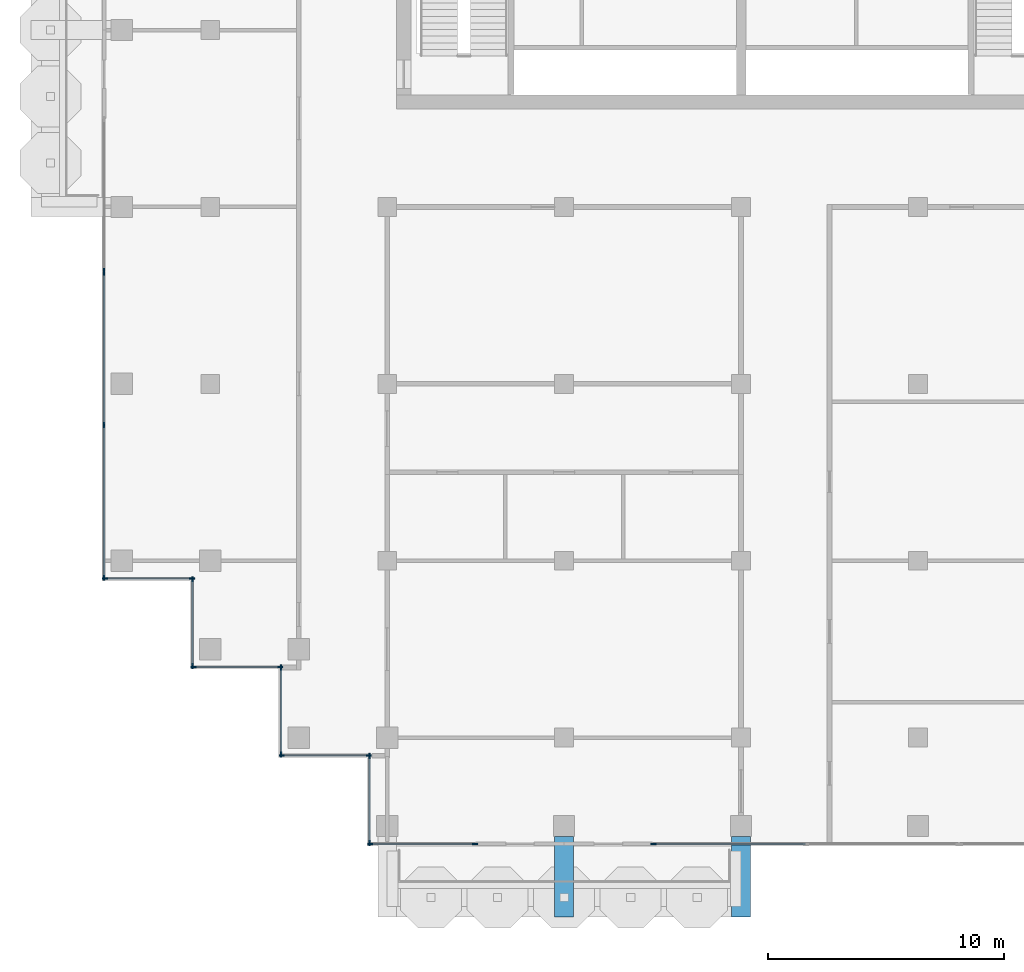
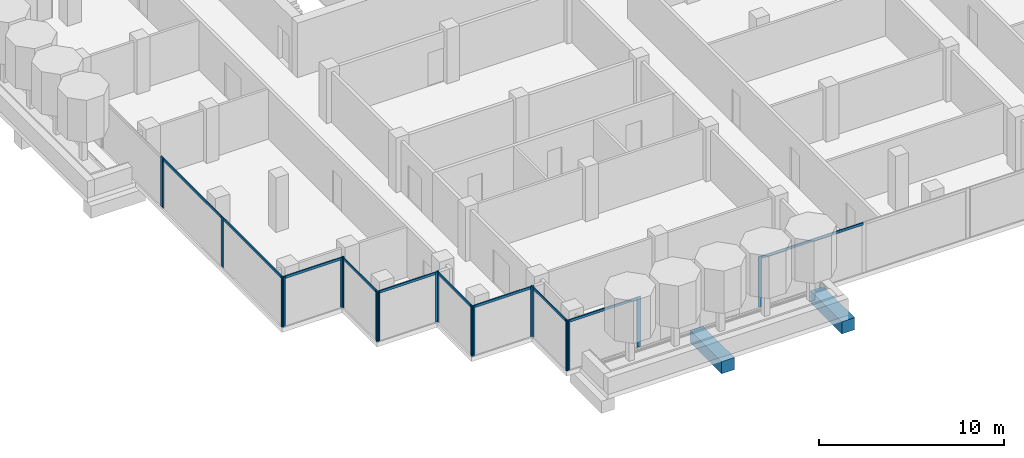
# One storey, part 2 of 18: 29 members, 2 beams, 10 elements without a shape of their own.
"""IFC4 building model written with IfcOpenShell, lengths in metres."""

from ifc_helpers import new_model, si_unit, direction, frame, origin, origin_2d, place, context, subcontext, project, spatial, rectangle, extrude, material, material_profile, profile_set, type_object, element, aggregate, save


model = new_model("IFC4")

# Units and contexts
model_context = context("Model", 3, precision=1e-05, world=origin(), true_north=direction((0.0, 1.0)))
body_context = subcontext(model_context, "Body", "Model", "MODEL_VIEW")
ifc_project = project(units=[si_unit("LENGTHUNIT", "METRE"), si_unit("AREAUNIT", "SQUARE_METRE"), si_unit("VOLUMEUNIT", "CUBIC_METRE"), si_unit("PLANEANGLEUNIT", "RADIAN"), si_unit("MASSUNIT", "GRAM", prefix="KILO")], contexts=[model_context])

# Site, building, storey
site_placement = place(None, origin())
site = spatial("IfcSite", under=ifc_project, at=site_placement, CompositionType="ELEMENT")
building_placement = place(site_placement, origin())
building = spatial("IfcBuilding", under=site, at=building_placement, Name="Pilkhan Gate Tower", CompositionType="ELEMENT")
storey_placement = place(building_placement, frame((0.0, 0.0, 242.699951171875)))
storey = spatial("IfcBuildingStorey", under=building, at=storey_placement, Name="L63", CompositionType="ELEMENT", Elevation=242.699951171875)

# Beams
ifc_material_1 = material(Name="Concrete C50/60", Category="concrete")
ifc_material_profile_1 = material_profile(ifc_material_1, rectangle(XDim=0.800048828125, YDim=0.800048828125, at=origin_2d()), Name="RC 800x800")
ifc_profile_set_1 = profile_set([ifc_material_profile_1], Name="Concrete C50/60")
beam_type = type_object("IfcBeamType", Name="Cantilever beam CB2 RC 800x800 C50/60", PredefinedType="BEAM", material=ifc_profile_set_1)
for number, where, z_axis, x_axis, name in (
    (1, (67.5, 40.800048828125, -0.699951171875), (0.0, -1.0, 0.0), (1.0, 0.0, 0.0), "Balcony beam S.2 L63"),
    (2, (75.0, 40.800048828125, -0.699951171875), (0.0, -1.0, 0.0), (1.0, 0.0, 0.0), "Balcony beam S.3 L63"),
):
    element("IfcBeam", number, at=place(storey_placement, frame(where, z_axis=z_axis, x_axis=x_axis)), inside=storey, type_object=beam_type, Name=name, PredefinedType="BEAM", context=body_context, shape_type="SweptSolid", body=[
        extrude(rectangle(XDim=0.800048828125, YDim=0.800048828125, at=origin_2d()), origin(), (0.0, 0.0, 1.0), 3.400146484375),
    ])

# Curtain wall, members
ifc_material_2 = material(Name="Pale anodised aluminium, clear low-iron double glazing", Category="aluminium")
curtain_wall_type = type_object("IfcCurtainWallType", Name="Office unitised curtain wall CW-O2", PredefinedType="USERDEFINED", material=ifc_material_2)
curtain_wall_1_placement = place(storey_placement, origin())
curtain_wall_1 = element("IfcCurtainWall", 3, at=curtain_wall_1_placement, inside=storey, type_object=curtain_wall_type, Name="Office unitised curtain wall CW-O2 L63 W", ObjectType="UNITISED CURTAIN WALL", PredefinedType="USERDEFINED")
ifc_material_3 = material(Name="Pale anodised aluminium", Category="aluminium")
ifc_material_profile_2 = material_profile(ifc_material_3, rectangle(XDim=0.06494140625, YDim=0.22509765625, at=origin_2d()), Name="Mullion 225x65")
ifc_profile_set_2 = profile_set([ifc_material_profile_2], Name="Pale anodised aluminium")
member_type_1 = type_object("IfcMemberType", Name="Mullion CW-O2 225x65", PredefinedType="MULLION", material=ifc_profile_set_2)
member_1_placement = place(storey_placement, frame((48.0, 51.782470703125, 0.0), z_axis=(0.0, 0.0, 1.0), x_axis=(-1.0, 0.0, 0.0)))
member_1 = element("IfcMember", 4, at=member_1_placement, type_object=member_type_1, Name="CW-O2 mullion 1", PredefinedType="MULLION", context=body_context, shape_type="SweptSolid", body=[
    extrude(rectangle(XDim=0.06494140625, YDim=0.22509765625, at=origin_2d()), origin(), (0.0, 0.0, 1.0), 3.300048828125),
])
member_2_placement = place(storey_placement, frame((48.0, 58.25, 0.0), z_axis=(0.0, 0.0, 1.0), x_axis=(-1.0, 0.0, 0.0)))
member_2 = element("IfcMember", 5, at=member_2_placement, type_object=member_type_1, Name="CW-O2 mullion 2", PredefinedType="MULLION", context=body_context, shape_type="SweptSolid", body=[
    extrude(rectangle(XDim=0.06494140625, YDim=0.22509765625, at=origin_2d()), origin(), (0.0, 0.0, 1.0), 3.300048828125),
])
member_3_placement = place(storey_placement, frame((48.0, 64.717529296875, 0.0), z_axis=(0.0, 0.0, 1.0), x_axis=(-1.0, 0.0, 0.0)))
member_3 = element("IfcMember", 6, at=member_3_placement, type_object=member_type_1, Name="CW-O2 mullion 3", PredefinedType="MULLION", context=body_context, shape_type="SweptSolid", body=[
    extrude(rectangle(XDim=0.06494140625, YDim=0.22509765625, at=origin_2d()), origin(), (0.0, 0.0, 1.0), 3.300048828125),
])

# Curtain wall, member
curtain_wall_2_placement = place(storey_placement, origin())
curtain_wall_2 = element("IfcCurtainWall", 7, at=curtain_wall_2_placement, inside=storey, type_object=curtain_wall_type, Name="Office unitised curtain wall CW-O2 L63 W", ObjectType="UNITISED CURTAIN WALL", PredefinedType="USERDEFINED")
member_4_placement = place(storey_placement, frame((48.0, 64.782470703125, 0.0), z_axis=(0.0, 0.0, 1.0), x_axis=(-1.0, 0.0, 0.0)))
member_4 = element("IfcMember", 8, at=member_4_placement, type_object=member_type_1, Name="CW-O2 mullion 1", PredefinedType="MULLION", context=body_context, shape_type="SweptSolid", body=[
    extrude(rectangle(XDim=0.06494140625, YDim=0.22509765625, at=origin_2d()), origin(), (0.0, 0.0, 1.0), 3.300048828125),
])
aggregate(curtain_wall_2, [member_4])

# Curtain wall, members
curtain_wall_3_placement = place(storey_placement, origin())
curtain_wall_3 = element("IfcCurtainWall", 9, at=curtain_wall_3_placement, inside=storey, type_object=curtain_wall_type, Name="Office unitised curtain wall CW-O2 L63 S", ObjectType="UNITISED CURTAIN WALL", PredefinedType="USERDEFINED")
member_5_placement = place(storey_placement, frame((48.032470703125, 51.75, 0.0), z_axis=(0.0, 0.0, 1.0), x_axis=(0.0, 1.0, 0.0)))
member_5 = element("IfcMember", 10, at=member_5_placement, type_object=member_type_1, Name="CW-O2 mullion 1", PredefinedType="MULLION", context=body_context, shape_type="SweptSolid", body=[
    extrude(rectangle(XDim=0.06494140625, YDim=0.22509765625, at=origin_2d()), origin(), (0.0, 0.0, 1.0), 3.300048828125),
])
member_6_placement = place(storey_placement, frame((51.717529296875, 51.75, 0.0), z_axis=(0.0, 0.0, 1.0), x_axis=(0.0, 1.0, 0.0)))
member_6 = element("IfcMember", 11, at=member_6_placement, type_object=member_type_1, Name="CW-O2 mullion 2", PredefinedType="MULLION", context=body_context, shape_type="SweptSolid", body=[
    extrude(rectangle(XDim=0.06494140625, YDim=0.22509765625, at=origin_2d()), origin(), (0.0, 0.0, 1.0), 3.300048828125),
])

curtain_wall_4_placement = place(storey_placement, origin())
curtain_wall_4 = element("IfcCurtainWall", 12, at=curtain_wall_4_placement, inside=storey, type_object=curtain_wall_type, Name="Office unitised curtain wall CW-O2 L63 W", ObjectType="UNITISED CURTAIN WALL", PredefinedType="USERDEFINED")
member_7_placement = place(storey_placement, frame((51.75, 48.032470703125, 0.0), z_axis=(0.0, 0.0, 1.0), x_axis=(-1.0, 0.0, 0.0)))
member_7 = element("IfcMember", 13, at=member_7_placement, type_object=member_type_1, Name="CW-O2 mullion 1", PredefinedType="MULLION", context=body_context, shape_type="SweptSolid", body=[
    extrude(rectangle(XDim=0.06494140625, YDim=0.22509765625, at=origin_2d()), origin(), (0.0, 0.0, 1.0), 3.300048828125),
])
member_8_placement = place(storey_placement, frame((51.75, 51.717529296875, 0.0), z_axis=(0.0, 0.0, 1.0), x_axis=(-1.0, 0.0, 0.0)))
member_8 = element("IfcMember", 14, at=member_8_placement, type_object=member_type_1, Name="CW-O2 mullion 2", PredefinedType="MULLION", context=body_context, shape_type="SweptSolid", body=[
    extrude(rectangle(XDim=0.06494140625, YDim=0.22509765625, at=origin_2d()), origin(), (0.0, 0.0, 1.0), 3.300048828125),
])

curtain_wall_5_placement = place(storey_placement, origin())
curtain_wall_5 = element("IfcCurtainWall", 15, at=curtain_wall_5_placement, inside=storey, type_object=curtain_wall_type, Name="Office unitised curtain wall CW-O2 L63 S", ObjectType="UNITISED CURTAIN WALL", PredefinedType="USERDEFINED")
member_9_placement = place(storey_placement, frame((51.782470703125, 48.0, 0.0), z_axis=(0.0, 0.0, 1.0), x_axis=(0.0, 1.0, 0.0)))
member_9 = element("IfcMember", 16, at=member_9_placement, type_object=member_type_1, Name="CW-O2 mullion 1", PredefinedType="MULLION", context=body_context, shape_type="SweptSolid", body=[
    extrude(rectangle(XDim=0.06494140625, YDim=0.22509765625, at=origin_2d()), origin(), (0.0, 0.0, 1.0), 3.300048828125),
])
member_10_placement = place(storey_placement, frame((55.467529296875, 48.0, 0.0), z_axis=(0.0, 0.0, 1.0), x_axis=(0.0, 1.0, 0.0)))
member_10 = element("IfcMember", 17, at=member_10_placement, type_object=member_type_1, Name="CW-O2 mullion 2", PredefinedType="MULLION", context=body_context, shape_type="SweptSolid", body=[
    extrude(rectangle(XDim=0.06494140625, YDim=0.22509765625, at=origin_2d()), origin(), (0.0, 0.0, 1.0), 3.300048828125),
])

curtain_wall_6_placement = place(storey_placement, origin())
curtain_wall_6 = element("IfcCurtainWall", 18, at=curtain_wall_6_placement, inside=storey, type_object=curtain_wall_type, Name="Office unitised curtain wall CW-O2 L63 W", ObjectType="UNITISED CURTAIN WALL", PredefinedType="USERDEFINED")
member_11_placement = place(storey_placement, frame((55.5, 44.282470703125, 0.0), z_axis=(0.0, 0.0, 1.0), x_axis=(-1.0, 0.0, 0.0)))
member_11 = element("IfcMember", 19, at=member_11_placement, type_object=member_type_1, Name="CW-O2 mullion 1", PredefinedType="MULLION", context=body_context, shape_type="SweptSolid", body=[
    extrude(rectangle(XDim=0.06494140625, YDim=0.22509765625, at=origin_2d()), origin(), (0.0, 0.0, 1.0), 3.300048828125),
])
member_12_placement = place(storey_placement, frame((55.5, 47.967529296875, 0.0), z_axis=(0.0, 0.0, 1.0), x_axis=(-1.0, 0.0, 0.0)))
member_12 = element("IfcMember", 20, at=member_12_placement, type_object=member_type_1, Name="CW-O2 mullion 2", PredefinedType="MULLION", context=body_context, shape_type="SweptSolid", body=[
    extrude(rectangle(XDim=0.06494140625, YDim=0.22509765625, at=origin_2d()), origin(), (0.0, 0.0, 1.0), 3.300048828125),
])

curtain_wall_7_placement = place(storey_placement, origin())
curtain_wall_7 = element("IfcCurtainWall", 21, at=curtain_wall_7_placement, inside=storey, type_object=curtain_wall_type, Name="Office unitised curtain wall CW-O2 L63 S", ObjectType="UNITISED CURTAIN WALL", PredefinedType="USERDEFINED")
member_13_placement = place(storey_placement, frame((55.532470703125, 44.25, 0.0), z_axis=(0.0, 0.0, 1.0), x_axis=(0.0, 1.0, 0.0)))
member_13 = element("IfcMember", 22, at=member_13_placement, type_object=member_type_1, Name="CW-O2 mullion 1", PredefinedType="MULLION", context=body_context, shape_type="SweptSolid", body=[
    extrude(rectangle(XDim=0.06494140625, YDim=0.22509765625, at=origin_2d()), origin(), (0.0, 0.0, 1.0), 3.300048828125),
])
member_14_placement = place(storey_placement, frame((59.217529296875, 44.25, 0.0), z_axis=(0.0, 0.0, 1.0), x_axis=(0.0, 1.0, 0.0)))
member_14 = element("IfcMember", 23, at=member_14_placement, type_object=member_type_1, Name="CW-O2 mullion 2", PredefinedType="MULLION", context=body_context, shape_type="SweptSolid", body=[
    extrude(rectangle(XDim=0.06494140625, YDim=0.22509765625, at=origin_2d()), origin(), (0.0, 0.0, 1.0), 3.300048828125),
])

curtain_wall_8_placement = place(storey_placement, origin())
curtain_wall_8 = element("IfcCurtainWall", 24, at=curtain_wall_8_placement, inside=storey, type_object=curtain_wall_type, Name="Office unitised curtain wall CW-O2 L63 W", ObjectType="UNITISED CURTAIN WALL", PredefinedType="USERDEFINED")
member_15_placement = place(storey_placement, frame((59.25, 40.532470703125, 0.0), z_axis=(0.0, 0.0, 1.0), x_axis=(-1.0, 0.0, 0.0)))
member_15 = element("IfcMember", 25, at=member_15_placement, type_object=member_type_1, Name="CW-O2 mullion 1", PredefinedType="MULLION", context=body_context, shape_type="SweptSolid", body=[
    extrude(rectangle(XDim=0.06494140625, YDim=0.22509765625, at=origin_2d()), origin(), (0.0, 0.0, 1.0), 3.300048828125),
])
member_16_placement = place(storey_placement, frame((59.25, 44.217529296875, 0.0), z_axis=(0.0, 0.0, 1.0), x_axis=(-1.0, 0.0, 0.0)))
member_16 = element("IfcMember", 26, at=member_16_placement, type_object=member_type_1, Name="CW-O2 mullion 2", PredefinedType="MULLION", context=body_context, shape_type="SweptSolid", body=[
    extrude(rectangle(XDim=0.06494140625, YDim=0.22509765625, at=origin_2d()), origin(), (0.0, 0.0, 1.0), 3.300048828125),
])

curtain_wall_9_placement = place(storey_placement, origin())
curtain_wall_9 = element("IfcCurtainWall", 27, at=curtain_wall_9_placement, inside=storey, type_object=curtain_wall_type, Name="Office unitised curtain wall CW-O2 L63 S", ObjectType="UNITISED CURTAIN WALL", PredefinedType="USERDEFINED")
member_17_placement = place(storey_placement, frame((59.282470703125, 40.5, 0.0), z_axis=(0.0, 0.0, 1.0), x_axis=(0.0, 1.0, 0.0)))
member_17 = element("IfcMember", 28, at=member_17_placement, type_object=member_type_1, Name="CW-O2 mullion 1", PredefinedType="MULLION", context=body_context, shape_type="SweptSolid", body=[
    extrude(rectangle(XDim=0.06494140625, YDim=0.22509765625, at=origin_2d()), origin(), (0.0, 0.0, 1.0), 3.300048828125),
])
member_18_placement = place(storey_placement, frame((63.717529296875, 40.5, 0.0), z_axis=(0.0, 0.0, 1.0), x_axis=(0.0, 1.0, 0.0)))
member_18 = element("IfcMember", 29, at=member_18_placement, type_object=member_type_1, Name="CW-O2 mullion 2", PredefinedType="MULLION", context=body_context, shape_type="SweptSolid", body=[
    extrude(rectangle(XDim=0.06494140625, YDim=0.22509765625, at=origin_2d()), origin(), (0.0, 0.0, 1.0), 3.300048828125),
])

# Curtain wall, member
curtain_wall_10_placement = place(storey_placement, origin())
curtain_wall_10 = element("IfcCurtainWall", 30, at=curtain_wall_10_placement, inside=storey, type_object=curtain_wall_type, Name="Office unitised curtain wall CW-O2 L63 S", ObjectType="UNITISED CURTAIN WALL", PredefinedType="USERDEFINED")
member_19_placement = place(storey_placement, frame((71.282470703125, 40.5, 0.0), z_axis=(0.0, 0.0, 1.0), x_axis=(0.0, 1.0, 0.0)))
member_19 = element("IfcMember", 31, at=member_19_placement, type_object=member_type_1, Name="CW-O2 mullion 1", PredefinedType="MULLION", context=body_context, shape_type="SweptSolid", body=[
    extrude(rectangle(XDim=0.06494140625, YDim=0.22509765625, at=origin_2d()), origin(), (0.0, 0.0, 1.0), 3.300048828125),
])

# Member
ifc_material_profile_3 = material_profile(ifc_material_3, rectangle(XDim=0.06494140625, YDim=0.1650390625, at=origin_2d()), Name="Transom 165x65")
ifc_profile_set_3 = profile_set([ifc_material_profile_3], Name="Pale anodised aluminium")
member_type_2 = type_object("IfcMemberType", Name="Transom CW-O2 165x65", PredefinedType="USERDEFINED", material=ifc_profile_set_3)
member_20_placement = place(storey_placement, frame((48.0, 51.81494140625, 3.217529296875), z_axis=(0.0, 1.0, 0.0), x_axis=(-1.0, 0.0, 0.0)))
member_20 = element("IfcMember", 32, at=member_20_placement, type_object=member_type_2, Name="CW-O2 transom 1", ObjectType="TRANSOM", PredefinedType="USERDEFINED", context=body_context, shape_type="SweptSolid", body=[
    extrude(rectangle(XDim=0.06494140625, YDim=0.1650390625, at=origin_2d()), origin(), (0.0, 0.0, 1.0), 6.402587890625),
])

member_21_placement = place(storey_placement, frame((48.0, 58.282470703125, 3.217529296875), z_axis=(0.0, 1.0, 0.0), x_axis=(-1.0, 0.0, 0.0)))
member_21 = element("IfcMember", 33, at=member_21_placement, type_object=member_type_2, Name="CW-O2 transom 2", ObjectType="TRANSOM", PredefinedType="USERDEFINED", context=body_context, shape_type="SweptSolid", body=[
    extrude(rectangle(XDim=0.06494140625, YDim=0.1650390625, at=origin_2d()), origin(), (0.0, 0.0, 1.0), 6.402587890625),
])

aggregate(curtain_wall_1, [member_1, member_2, member_3, member_20, member_21])

member_22_placement = place(storey_placement, frame((48.06494140625, 51.75, 3.217529296875), z_axis=(1.0, 0.0, 0.0), x_axis=(0.0, 1.0, 0.0)))
member_22 = element("IfcMember", 34, at=member_22_placement, type_object=member_type_2, Name="CW-O2 transom 1", ObjectType="TRANSOM", PredefinedType="USERDEFINED", context=body_context, shape_type="SweptSolid", body=[
    extrude(rectangle(XDim=0.06494140625, YDim=0.1650390625, at=origin_2d()), origin(), (0.0, 0.0, 1.0), 3.6201171875),
])

aggregate(curtain_wall_3, [member_5, member_6, member_22])

member_23_placement = place(storey_placement, frame((51.75, 48.06494140625, 3.217529296875), z_axis=(0.0, 1.0, 0.0), x_axis=(-1.0, 0.0, 0.0)))
member_23 = element("IfcMember", 35, at=member_23_placement, type_object=member_type_2, Name="CW-O2 transom 1", ObjectType="TRANSOM", PredefinedType="USERDEFINED", context=body_context, shape_type="SweptSolid", body=[
    extrude(rectangle(XDim=0.06494140625, YDim=0.1650390625, at=origin_2d()), origin(), (0.0, 0.0, 1.0), 3.6201171875),
])

aggregate(curtain_wall_4, [member_7, member_8, member_23])

member_24_placement = place(storey_placement, frame((51.81494140625, 48.0, 3.217529296875), z_axis=(1.0, 0.0, 0.0), x_axis=(0.0, 1.0, 0.0)))
member_24 = element("IfcMember", 36, at=member_24_placement, type_object=member_type_2, Name="CW-O2 transom 1", ObjectType="TRANSOM", PredefinedType="USERDEFINED", context=body_context, shape_type="SweptSolid", body=[
    extrude(rectangle(XDim=0.06494140625, YDim=0.1650390625, at=origin_2d()), origin(), (0.0, 0.0, 1.0), 3.6201171875),
])

aggregate(curtain_wall_5, [member_9, member_10, member_24])

member_25_placement = place(storey_placement, frame((55.5, 44.31494140625, 3.217529296875), z_axis=(0.0, 1.0, 0.0), x_axis=(-1.0, 0.0, 0.0)))
member_25 = element("IfcMember", 37, at=member_25_placement, type_object=member_type_2, Name="CW-O2 transom 1", ObjectType="TRANSOM", PredefinedType="USERDEFINED", context=body_context, shape_type="SweptSolid", body=[
    extrude(rectangle(XDim=0.06494140625, YDim=0.1650390625, at=origin_2d()), origin(), (0.0, 0.0, 1.0), 3.6201171875),
])

aggregate(curtain_wall_6, [member_11, member_12, member_25])

member_26_placement = place(storey_placement, frame((55.56494140625, 44.25, 3.217529296875), z_axis=(1.0, 0.0, 0.0), x_axis=(0.0, 1.0, 0.0)))
member_26 = element("IfcMember", 38, at=member_26_placement, type_object=member_type_2, Name="CW-O2 transom 1", ObjectType="TRANSOM", PredefinedType="USERDEFINED", context=body_context, shape_type="SweptSolid", body=[
    extrude(rectangle(XDim=0.06494140625, YDim=0.1650390625, at=origin_2d()), origin(), (0.0, 0.0, 1.0), 3.6201171875),
])

aggregate(curtain_wall_7, [member_13, member_14, member_26])

member_27_placement = place(storey_placement, frame((59.25, 40.56494140625, 3.217529296875), z_axis=(0.0, 1.0, 0.0), x_axis=(-1.0, 0.0, 0.0)))
member_27 = element("IfcMember", 39, at=member_27_placement, type_object=member_type_2, Name="CW-O2 transom 1", ObjectType="TRANSOM", PredefinedType="USERDEFINED", context=body_context, shape_type="SweptSolid", body=[
    extrude(rectangle(XDim=0.06494140625, YDim=0.1650390625, at=origin_2d()), origin(), (0.0, 0.0, 1.0), 3.6201171875),
])

aggregate(curtain_wall_8, [member_15, member_16, member_27])

member_28_placement = place(storey_placement, frame((59.31494140625, 40.5, 3.217529296875), z_axis=(1.0, 0.0, 0.0), x_axis=(0.0, 1.0, 0.0)))
member_28 = element("IfcMember", 40, at=member_28_placement, type_object=member_type_2, Name="CW-O2 transom 1", ObjectType="TRANSOM", PredefinedType="USERDEFINED", context=body_context, shape_type="SweptSolid", body=[
    extrude(rectangle(XDim=0.06494140625, YDim=0.1650390625, at=origin_2d()), origin(), (0.0, 0.0, 1.0), 4.3701171875),
])

aggregate(curtain_wall_9, [member_17, member_18, member_28])

member_29_placement = place(storey_placement, frame((71.31494140625, 40.5, 3.217529296875), z_axis=(1.0, 0.0, 0.0), x_axis=(0.0, 1.0, 0.0)))
member_29 = element("IfcMember", 41, at=member_29_placement, type_object=member_type_2, Name="CW-O2 transom 1", ObjectType="TRANSOM", PredefinedType="USERDEFINED", context=body_context, shape_type="SweptSolid", body=[
    extrude(rectangle(XDim=0.06494140625, YDim=0.1650390625, at=origin_2d()), origin(), (0.0, 0.0, 1.0), 6.402587890625),
])

aggregate(curtain_wall_10, [member_19, member_29])

save(model, "model.ifc")
